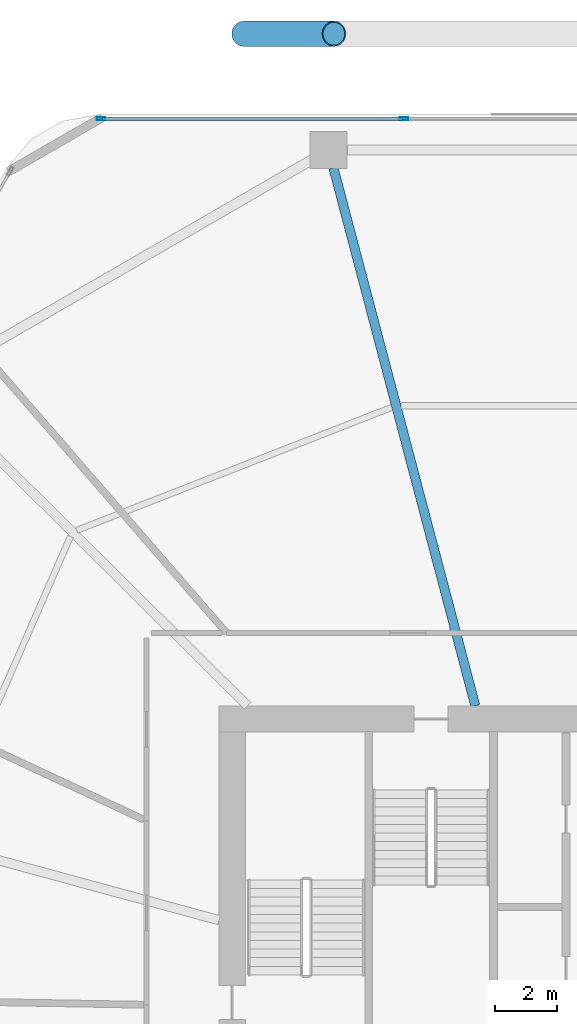
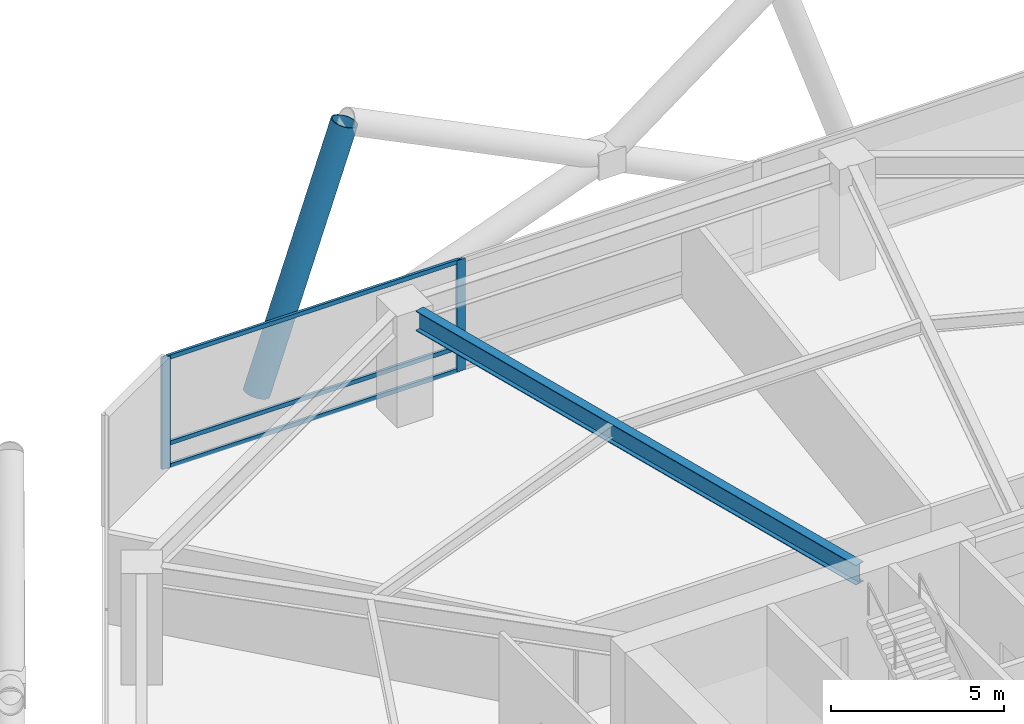
# One storey, part 17 of 31: 6 members, 1 beam, 1 element without a shape of its own.
"""IFC4 building model written with IfcOpenShell, lengths in metres."""

import ifcopenshell
import ifcopenshell.guid

model = None  # the IFC model being written
_history = None  # IfcOwnerHistory: only IFC2X3 demands one
_inside = {}  # id of a spatial element -> (the spatial element, [elements in it])
_under = {}  # id of a project, library or spatial element -> (it, [spatial elements below it])
_declared = {}  # id of a project -> (the project, [libraries it declares])
_typed = {}  # id of a type object -> (the type object, [elements of that type])
_made_of = {}  # id of a material, layer set ... -> (it, [elements and type objects made of it])


def new_model(schema):
    """Start an empty IFC model of exactly this schema.

    Asked for "IFC4X3", IfcOpenShell would pick the latest addendum, in which some entities
    have other attributes; the version numbers below select the first issue.
    IFC2X3 requires an IfcOwnerHistory on every rooted entity: one is made here for all.
    """
    global model, _history
    if schema == "IFC4X3":
        model = ifcopenshell.file(schema_version=(4, 3, 0, 0))
    else:
        model = ifcopenshell.file(schema=schema)
    _inside.clear()
    _under.clear()
    _declared.clear()
    _typed.clear()
    _made_of.clear()
    _history = None
    if model.schema == "IFC2X3":
        org = make("IfcOrganization", Name="unknown")
        user = make(
            "IfcPersonAndOrganization",
            ThePerson=make("IfcPerson", FamilyName="unknown"),
            TheOrganization=org,
        )
        app = make(
            "IfcApplication",
            ApplicationDeveloper=org,
            Version="unknown",
            ApplicationFullName="unknown",
            ApplicationIdentifier="unknown",
        )
        _history = make(
            "IfcOwnerHistory",
            OwningUser=user,
            OwningApplication=app,
            ChangeAction="ADDED",
            CreationDate=0,
        )
    return model


def make(cls, **values):
    """One entity of the class cls with the attributes given. An attribute that is None is left unset."""
    return model.create_entity(
        cls, **{name: value for name, value in values.items() if value is not None}
    )


def rooted(cls, **values):
    """An entity with a GlobalId (a new one), such as an element, a storey or a relation."""
    return make(cls, GlobalId=ifcopenshell.guid.new(), OwnerHistory=_history, **values)


def si_unit(unit_type, name, prefix=None):
    """IfcSIUnit, for example si_unit("LENGTHUNIT", "METRE", prefix="MILLI")."""
    return make("IfcSIUnit", UnitType=unit_type, Prefix=prefix, Name=name)


def assignment(units):
    """IfcUnitAssignment: the units of a project."""
    return None if units is None else make("IfcUnitAssignment", Units=units)


def point(xyz):
    """IfcCartesianPoint."""
    return None if xyz is None else make("IfcCartesianPoint", Coordinates=xyz)


def direction(xyz):
    """IfcDirection."""
    return None if xyz is None else make("IfcDirection", DirectionRatios=xyz)


def frame(location, z_axis=None, x_axis=None):
    """IfcAxis2Placement3D, a coordinate frame: its origin and axes. An axis left out is left unset."""
    return make(
        "IfcAxis2Placement3D",
        Location=point(location),
        Axis=direction(z_axis),
        RefDirection=direction(x_axis),
    )


def frame_2d(location, x_axis=None):
    """IfcAxis2Placement2D, a coordinate frame in the plane: its origin and x axis."""
    return make(
        "IfcAxis2Placement2D", Location=point(location), RefDirection=direction(x_axis)
    )


def origin():
    """The frame at (0, 0, 0) with its axes left unset."""
    return frame((0.0, 0.0, 0.0))


def origin_2d():
    """The frame at (0, 0) in the plane with its x axis left unset."""
    return frame_2d((0.0, 0.0))


def place(relative_to, where):
    """IfcLocalPlacement: puts the frame where relative to a parent placement (None: the world)."""
    return make(
        "IfcLocalPlacement", PlacementRelTo=relative_to, RelativePlacement=where
    )


def context(
    kind, dimensions, precision=None, world=None, true_north=None, identifier=None
):
    """IfcGeometricRepresentationContext, for example the 3D "Model" context."""
    return make(
        "IfcGeometricRepresentationContext",
        ContextIdentifier=identifier,
        ContextType=kind,
        CoordinateSpaceDimension=dimensions,
        Precision=precision,
        WorldCoordinateSystem=world,
        TrueNorth=true_north,
    )


def subcontext(parent, identifier, kind, view, scale=None):
    """IfcGeometricRepresentationSubContext, for example "Body" below "Model"."""
    return make(
        "IfcGeometricRepresentationSubContext",
        ContextIdentifier=identifier,
        ContextType=kind,
        ParentContext=parent,
        TargetScale=scale,
        TargetView=view,
    )


def project(units=None, contexts=None):
    """IfcProject with its units and contexts."""
    return rooted(
        "IfcProject",
        Name="project",
        RepresentationContexts=contexts,
        UnitsInContext=assignment(units),
    )


def spatial(cls, under=None, at=None, **own):
    """A site, building, storey or space (cls), placed at a placement, below another one or the project."""
    s = rooted(cls, ObjectPlacement=at, **own)
    if under is not None:
        _under.setdefault(under.id(), (under, []))[1].append(s)
    return s


def profile(cls, at=None, kind="AREA", **sizes):
    """A parametric profile (cls). Its sizes go by their IFC names, for example OverallWidth=200.0."""
    return make(cls, ProfileType=kind, Position=at, **sizes)


def hollow_rectangle(**sizes):
    """IfcRectangleHollowProfileDef."""
    return profile("IfcRectangleHollowProfileDef", **sizes)


def hollow_circle(**sizes):
    """IfcCircleHollowProfileDef."""
    return profile("IfcCircleHollowProfileDef", **sizes)


def i_section(**sizes):
    """IfcIShapeProfileDef."""
    return profile("IfcIShapeProfileDef", **sizes)


def extrude(swept, where, along, depth):
    """IfcExtrudedAreaSolid: the profile swept, set in the frame where, extruded along a direction by depth."""
    return make(
        "IfcExtrudedAreaSolid",
        SweptArea=swept,
        Position=where,
        ExtrudedDirection=direction(along),
        Depth=depth,
    )


def shape(context_of_items, identifier, shape_type, items):
    """IfcShapeRepresentation: the items that make up one representation, for example the "Body"."""
    return make(
        "IfcShapeRepresentation",
        ContextOfItems=context_of_items,
        RepresentationIdentifier=identifier,
        RepresentationType=shape_type,
        Items=items,
    )


def material(Name=None, Category=None):
    """IfcMaterial."""
    return make("IfcMaterial", Name=Name, Category=Category)


def material_profile(
    of_material, cross_section, Name=None, Category=None, Priority=None
):
    """IfcMaterialProfile: a cross section and its material."""
    return make(
        "IfcMaterialProfile",
        Name=Name,
        Material=of_material,
        Profile=cross_section,
        Priority=Priority,
        Category=Category,
    )


def profile_set(profiles, Name=None, composite=None):
    """IfcMaterialProfileSet."""
    return make(
        "IfcMaterialProfileSet",
        Name=Name,
        MaterialProfiles=profiles,
        CompositeProfile=composite,
    )


def made_of(thing, what):
    """Note that an element or type object is made of a material, layer set ...; save() writes the relation."""
    if what is not None:
        _made_of.setdefault(what.id(), (what, []))[1].append(thing)
    return thing


def type_object(cls, material=None, **own):
    """A type object (cls), such as IfcWallType, which elements share."""
    return made_of(rooted(cls, **own), material)


def element(
    cls,
    number,
    at=None,
    inside=None,
    cuts=None,
    type_object=None,
    material=None,
    context=None,
    identifier="Body",
    shape_type=None,
    held_by="IfcProductDefinitionShape",
    body=None,
    shapes=None,
    **own,
):
    """One element of the class cls, such as IfcWall. Its Tag is "e" and its number.

    at: its placement. inside: the storey or other place that contains it. cuts: it is an
    opening in that element (IfcRelVoidsElement). A single representation is given by context,
    identifier, shape_type and body (its items); several are given by shapes. held_by: the class
    of the entity that holds the representations. save() writes the other relations.
    """
    e = rooted(cls, Tag="e%d" % number, ObjectPlacement=at, **own)
    if body is not None:
        shapes = [shape(context, identifier, shape_type, body)]
    if shapes is not None:
        e.Representation = make(held_by, Representations=shapes)
    if inside is not None:
        _inside.setdefault(inside.id(), (inside, []))[1].append(e)
    if cuts is not None:
        rooted(
            "IfcRelVoidsElement", RelatingBuildingElement=cuts, RelatedOpeningElement=e
        )
    if type_object is not None:
        _typed.setdefault(type_object.id(), (type_object, []))[1].append(e)
    return made_of(e, material)


def aggregate(whole, parts):
    """IfcRelAggregates: a whole, such as a stair, and the parts it consists of."""
    return rooted("IfcRelAggregates", RelatingObject=whole, RelatedObjects=parts)


def save(model, path):
    """Write the relations noted so far, then the file.

    IfcRelAggregates (storeys below a building ...), IfcRelContainedInSpatialStructure (elements
    in a storey), IfcRelDefinesByType, IfcRelAssociatesMaterial and IfcRelDeclares: one each for
    every whole, place, type object, material and project.
    """
    for whole, parts in _under.values():
        aggregate(whole, parts)
    for where, things in _inside.values():
        rooted(
            "IfcRelContainedInSpatialStructure",
            RelatedElements=things,
            RelatingStructure=where,
        )
    for kind, things in _typed.values():
        rooted("IfcRelDefinesByType", RelatedObjects=things, RelatingType=kind)
    for what, things in _made_of.values():
        rooted("IfcRelAssociatesMaterial", RelatedObjects=things, RelatingMaterial=what)
    for by, libraries in _declared.values():
        rooted("IfcRelDeclares", RelatingContext=by, RelatedDefinitions=libraries)
    model.write(path)


model = new_model("IFC4")

# Units and contexts
model_context = context("Model", 3, precision=1e-05, world=origin(), true_north=direction((0.0, 1.0)))
body_context = subcontext(model_context, "Body", "Model", "MODEL_VIEW")
ifc_project = project(units=[si_unit("LENGTHUNIT", "METRE"), si_unit("AREAUNIT", "SQUARE_METRE"), si_unit("VOLUMEUNIT", "CUBIC_METRE"), si_unit("PLANEANGLEUNIT", "RADIAN"), si_unit("MASSUNIT", "GRAM", prefix="KILO")], contexts=[model_context])

# Site, building, storey
site_placement = place(None, origin())
site = spatial("IfcSite", under=ifc_project, at=site_placement, CompositionType="ELEMENT")
building_placement = place(site_placement, origin())
building = spatial("IfcBuilding", under=site, at=building_placement, Name="Zuhravey Tower", CompositionType="ELEMENT")
storey_placement = place(building_placement, frame((0.0, 0.0, 7.800048828125)))
storey = spatial("IfcBuildingStorey", under=building, at=storey_placement, Name="L02", CompositionType="ELEMENT", Elevation=7.800048828125)

# Curtain wall, members
ifc_material_1 = material(Name="Thermally broken anodised aluminium", Category="aluminium")
curtain_wall_type = type_object("IfcCurtainWallType", Name="School Low-E Unitised Curtain Wall CW1", PredefinedType="NOTDEFINED", material=ifc_material_1)
curtain_wall_placement = place(storey_placement, origin())
curtain_wall = element("IfcCurtainWall", 1, at=curtain_wall_placement, inside=storey, type_object=curtain_wall_type, Name="L02 CW1 CW-L02-F2-1", PredefinedType="NOTDEFINED")
ifc_material_2 = material(Name="Anodised aluminium", Category="aluminium")
ifc_material_profile_1 = material_profile(ifc_material_2, hollow_rectangle(XDim=0.090087890625, YDim=0.284912109375, WallThickness=0.0048828125, at=origin_2d()), Name="ALU-RHS-90x285x5")
ifc_profile_set_1 = profile_set([ifc_material_profile_1], Name="Anodised aluminium")
member_type_1 = type_object("IfcMemberType", Name="Curtain-Wall Mullion 90x180", PredefinedType="MULLION", material=ifc_profile_set_1)
member_1_placement = place(storey_placement, frame((21.24560546875, 60.95849609375, 0.0), z_axis=(0.0, 0.0, 1.0), x_axis=(0.0, 1.0, 0.0)))
member_1 = element("IfcMember", 2, at=member_1_placement, type_object=member_type_1, Name="CW1 mullion 1", PredefinedType="MULLION", context=body_context, shape_type="SweptSolid", body=[
    extrude(hollow_rectangle(XDim=0.090087890625, YDim=0.284912109375, WallThickness=0.0048828125, at=origin_2d()), origin(), (0.0, 0.0, 1.0), 3.919921875),
])
member_2_placement = place(storey_placement, frame((31.06689453125, 60.95849609375, 0.0), z_axis=(0.0, 0.0, 1.0), x_axis=(0.0, 1.0, 0.0)))
member_2 = element("IfcMember", 3, at=member_2_placement, type_object=member_type_1, Name="CW1 mullion 2", PredefinedType="MULLION", context=body_context, shape_type="SweptSolid", body=[
    extrude(hollow_rectangle(XDim=0.090087890625, YDim=0.284912109375, WallThickness=0.0048828125, at=origin_2d()), origin(), (0.0, 0.0, 1.0), 3.919921875),
])
ifc_material_profile_2 = material_profile(ifc_material_2, hollow_rectangle(XDim=0.090087890625, YDim=0.14990234375, WallThickness=0.0048828125, at=origin_2d()), Name="ALU-RHS-90x150x5")
ifc_profile_set_2 = profile_set([ifc_material_profile_2], Name="Anodised aluminium")
member_type_2 = type_object("IfcMemberType", Name="Curtain-Wall Transom 90x150", PredefinedType="USERDEFINED", material=ifc_profile_set_2)
member_3_placement = place(storey_placement, frame((21.29052734375, 60.95849609375, 0.044921875), z_axis=(1.0, 0.0, 0.0), x_axis=(0.0, 1.0, 0.0)))
member_3 = element("IfcMember", 4, at=member_3_placement, type_object=member_type_2, Name="CW1 transom 1.1", ObjectType="TRANSOM", PredefinedType="USERDEFINED", context=body_context, shape_type="SweptSolid", body=[
    extrude(hollow_rectangle(XDim=0.090087890625, YDim=0.14990234375, WallThickness=0.0048828125, at=origin_2d()), origin(), (0.0, 0.0, 1.0), 9.731201171875),
])
member_4_placement = place(storey_placement, frame((21.29052734375, 60.95849609375, 0.849853515625), z_axis=(1.0, 0.0, 0.0), x_axis=(0.0, 1.0, 0.0)))
member_4 = element("IfcMember", 5, at=member_4_placement, type_object=member_type_2, Name="CW1 transom 1.2", ObjectType="TRANSOM", PredefinedType="USERDEFINED", context=body_context, shape_type="SweptSolid", body=[
    extrude(hollow_rectangle(XDim=0.090087890625, YDim=0.14990234375, WallThickness=0.0048828125, at=origin_2d()), origin(), (0.0, 0.0, 1.0), 9.731201171875),
])
member_5_placement = place(storey_placement, frame((21.29052734375, 60.95849609375, 3.875), z_axis=(1.0, 0.0, 0.0), x_axis=(0.0, 1.0, 0.0)))
member_5 = element("IfcMember", 6, at=member_5_placement, type_object=member_type_2, Name="CW1 transom 1.3", ObjectType="TRANSOM", PredefinedType="USERDEFINED", context=body_context, shape_type="SweptSolid", body=[
    extrude(hollow_rectangle(XDim=0.090087890625, YDim=0.14990234375, WallThickness=0.0048828125, at=origin_2d()), origin(), (0.0, 0.0, 1.0), 9.731201171875),
])
aggregate(curtain_wall, [member_1, member_2, member_3, member_4, member_5])

# Member
ifc_material_3 = material(Name="Steel SM460", Category="steel")
ifc_material_profile_3 = material_profile(ifc_material_3, hollow_circle(Radius=0.406494140625, WallThickness=0.035888671875, at=origin_2d()), Name="CHS-812.8x36")
ifc_profile_set_3 = profile_set([ifc_material_profile_3], Name="Steel SM460")
member_type_3 = type_object("IfcMemberType", Name="Exoskeleton Zone 1 Diagrid CHS813x36", PredefinedType="BRACE", material=ifc_profile_set_3)
member_6_placement = place(storey_placement, frame((25.870849609375, 63.718505859375, -0.64208984375), z_axis=(0.324770185751, 0.0, 0.945792961724), x_axis=(0.0, 1.0, 0.0)))
element("IfcMember", 7, at=member_6_placement, inside=storey, type_object=member_type_3, Name="L02 Face 2 Diagrid Brace 4", PredefinedType="BRACE", context=body_context, shape_type="SweptSolid", body=[
    extrude(hollow_circle(Radius=0.406494140625, WallThickness=0.035888671875, at=origin_2d()), origin(), (0.0, 0.0, 1.0), 9.014892578125),
])

# Beam
ifc_material_4 = material(Name="Steel SM355", Category="steel")
ifc_material_profile_4 = material_profile(ifc_material_4, i_section(OverallWidth=0.300048828125, OverallDepth=0.699951171875, WebThickness=0.012939453125, FlangeThickness=0.02392578125, at=origin_2d()), Name="H-700x300x13x24")
ifc_profile_set_4 = profile_set([ifc_material_profile_4], Name="Steel SM355")
beam_type = type_object("IfcBeamType", Name="Radial Primary Girder H700x300", PredefinedType="BEAM", material=ifc_profile_set_4)
beam_placement = place(storey_placement, frame((33.382080078125, 41.927978515625, 3.570068359375), z_axis=(-0.254989720435, 0.966943763862, 0.0), x_axis=(-0.966943763862, -0.254989720435, 0.0)))
element("IfcBeam", 8, at=beam_placement, inside=storey, type_object=beam_type, Name="L02 RG1 BM-L02-RAD-04", PredefinedType="BEAM", context=body_context, shape_type="SweptSolid", body=[
    extrude(i_section(OverallWidth=0.300048828125, OverallDepth=0.699951171875, WebThickness=0.012939453125, FlangeThickness=0.02392578125, at=origin_2d()), origin(), (0.0, 0.0, 1.0), 18.03369140625),
])

save(model, "model.ifc")
